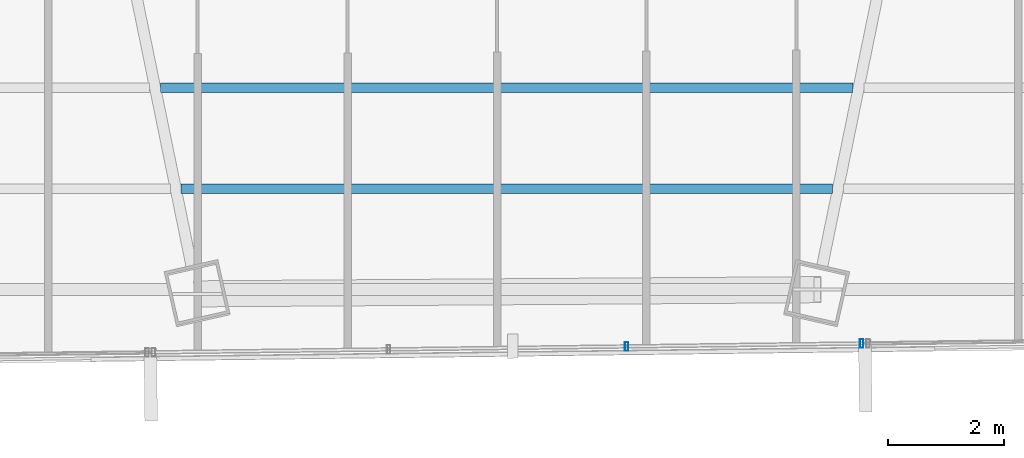
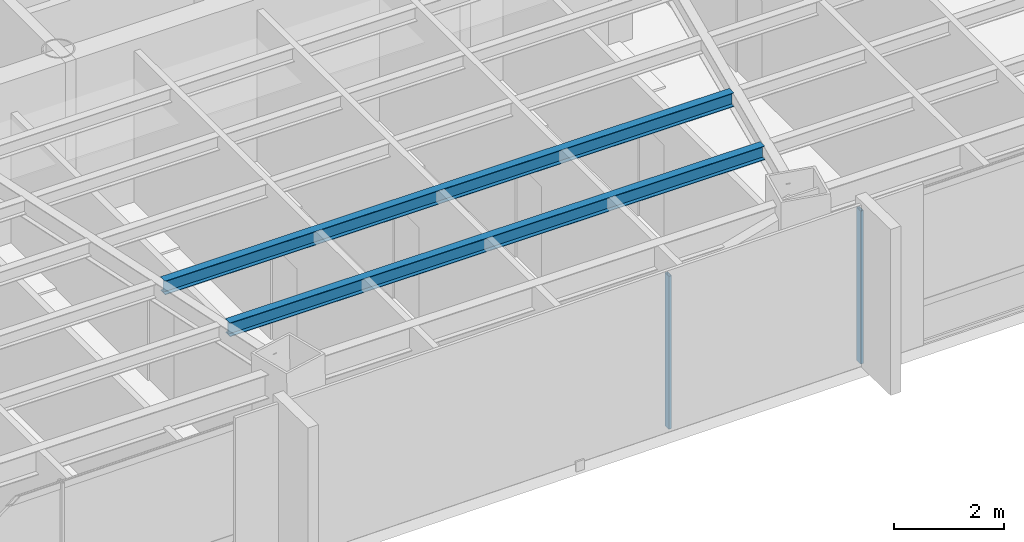
# One storey, part 10 of 42: 2 beams, 2 members, 1 element without a shape of its own.
"""IFC4 building model written with IfcOpenShell, lengths in metres."""

from ifc_helpers import new_model, si_unit, direction, frame, origin, origin_2d, place, context, subcontext, project, spatial, hollow_rectangle, i_section, extrude, source, transform, mapped, material, material_profile, profile_set, type_object, type_shapes, element, aggregate, save


model = new_model("IFC4")

# Units and contexts
model_context = context("Model", 3, precision=1e-05, world=origin(), true_north=direction((0.0, 1.0)))
body_context = subcontext(model_context, "Body", "Model", "MODEL_VIEW")
ifc_project = project(units=[si_unit("LENGTHUNIT", "METRE"), si_unit("AREAUNIT", "SQUARE_METRE"), si_unit("VOLUMEUNIT", "CUBIC_METRE"), si_unit("PLANEANGLEUNIT", "RADIAN"), si_unit("MASSUNIT", "GRAM", prefix="KILO")], contexts=[model_context])

# Site, building, storey
site_placement = place(None, origin())
site = spatial("IfcSite", under=ifc_project, at=site_placement, CompositionType="ELEMENT")
building_placement = place(site_placement, origin())
building = spatial("IfcBuilding", under=site, at=building_placement, Name="Caelisora Broadcast Tower", CompositionType="ELEMENT")
storey_placement = place(building_placement, frame((0.0, 0.0, 131.800048828125)))
storey = spatial("IfcBuildingStorey", under=building, at=storey_placement, Name="L34", CompositionType="ELEMENT", Elevation=131.800048828125)

# Beams
ifc_material_1 = material(Name="Steel Grade 350 (AS/NZS 3679.1)", Category="steel")
ifc_material_profile_1 = material_profile(ifc_material_1, i_section(OverallWidth=0.166015625, OverallDepth=0.30712890625, WebThickness=0.006591796875, FlangeThickness=0.01171875, at=origin_2d()), Name="Steel Grade 350 (AS/NZS 3679.1)")
ifc_profile_set_1 = profile_set([ifc_material_profile_1], Name="Steel Grade 350 (AS/NZS 3679.1)")
beam_type = type_object("IfcBeamType", Name="SB03", PredefinedType="JOIST", material=ifc_profile_set_1)
shared_shape_1 = source(origin(), body_context, "Body", "SweptSolid", [
    extrude(i_section(OverallWidth=0.166015625, OverallDepth=0.30712890625, WebThickness=0.006591796875, FlangeThickness=0.01171875, at=origin_2d()), origin(), (0.0, 0.0, 1.0), 11.9599609375),
])
beam_1_placement = place(storey_placement, frame((32.02001953125, 10.424072265625, 3.246337890625), z_axis=(1.0, 0.0, 0.0), x_axis=(0.0, 1.0, 0.0)))
element("IfcBeam", 1, at=beam_1_placement, inside=storey, type_object=beam_type, Name="L34 beam SB03", PredefinedType="JOIST", context=body_context, shape_type="MappedRepresentation", body=[
    mapped(shared_shape_1, transform((0.0, 0.0, 0.0), scale=1.0)),
])
shared_shape_2 = source(origin(), body_context, "Body", "SweptSolid", [
    extrude(i_section(OverallWidth=0.166015625, OverallDepth=0.30712890625, WebThickness=0.006591796875, FlangeThickness=0.01171875, at=origin_2d()), origin(), (0.0, 0.0, 1.0), 11.2470703125),
])
type_shapes(beam_type, [shared_shape_1, shared_shape_2])
beam_2_placement = place(storey_placement, frame((32.37646484375, 8.68017578125, 3.246337890625), z_axis=(1.0, 0.0, 0.0), x_axis=(0.0, 1.0, 0.0)))
element("IfcBeam", 2, at=beam_2_placement, inside=storey, type_object=beam_type, Name="L34 beam SB03", PredefinedType="JOIST", context=body_context, shape_type="MappedRepresentation", body=[
    mapped(shared_shape_2, transform((0.0, 0.0, 0.0), scale=1.0)),
])

# Curtain wall, members
ifc_material_2 = material(Name="Unitised Aluminium Insulated Shadow-Box Spandrel Curtain Wall", Category="aluminium")
curtain_wall_type = type_object("IfcCurtainWallType", Name="CW-SP2", PredefinedType="NOTDEFINED", material=ifc_material_2)
curtain_wall_placement = place(storey_placement, origin())
curtain_wall = element("IfcCurtainWall", 3, at=curtain_wall_placement, inside=storey, type_object=curtain_wall_type, Name="L34 curtain wall CW-SP2", PredefinedType="NOTDEFINED")
ifc_material_3 = material(Name="Aluminium 6063-T6 Anodised Terracotta Bronze", Category="aluminium")
ifc_material_profile_2 = material_profile(ifc_material_3, hollow_rectangle(XDim=0.06005859375, YDim=0.14990234375, WallThickness=0.00341796875, at=origin_2d()), Name="Aluminium 6063-T6 Anodised Terracotta Bronze")
ifc_profile_set_2 = profile_set([ifc_material_profile_2], Name="Aluminium 6063-T6 Anodised Terracotta Bronze")
member_type = type_object("IfcMemberType", Name="CWM-03", PredefinedType="MULLION", material=ifc_profile_set_2)
shared_shape_3 = source(origin(), body_context, "Body", "SweptSolid", [
    extrude(hollow_rectangle(XDim=0.06005859375, YDim=0.14990234375, WallThickness=0.00341796875, at=origin_2d()), origin(), (0.0, 0.0, 1.0), 3.39990234375),
])
type_shapes(member_type, [shared_shape_3])
member_1_placement = place(storey_placement, frame((44.1259765625, 6.007568359375, 0.0), z_axis=(0.0, 0.0, 1.0), x_axis=(1.0, 0.0, 0.0)))
member_1 = element("IfcMember", 4, at=member_1_placement, type_object=member_type, Name="L34-CW-B06 mullion #0", PredefinedType="MULLION", context=body_context, shape_type="MappedRepresentation", body=[
    mapped(shared_shape_3, transform((0.0, 0.0, 0.0), scale=1.0)),
])
member_2_placement = place(storey_placement, frame((40.06640625, 5.956787109375, 0.0), z_axis=(0.0, 0.0, 1.0), x_axis=(1.0, 0.0, 0.0)))
member_2 = element("IfcMember", 5, at=member_2_placement, type_object=member_type, Name="L34-CW-B06 mullion #1", PredefinedType="MULLION", context=body_context, shape_type="MappedRepresentation", body=[
    mapped(shared_shape_3, transform((0.0, 0.0, 0.0), scale=1.0)),
])
aggregate(curtain_wall, [member_1, member_2])

save(model, "model.ifc")
